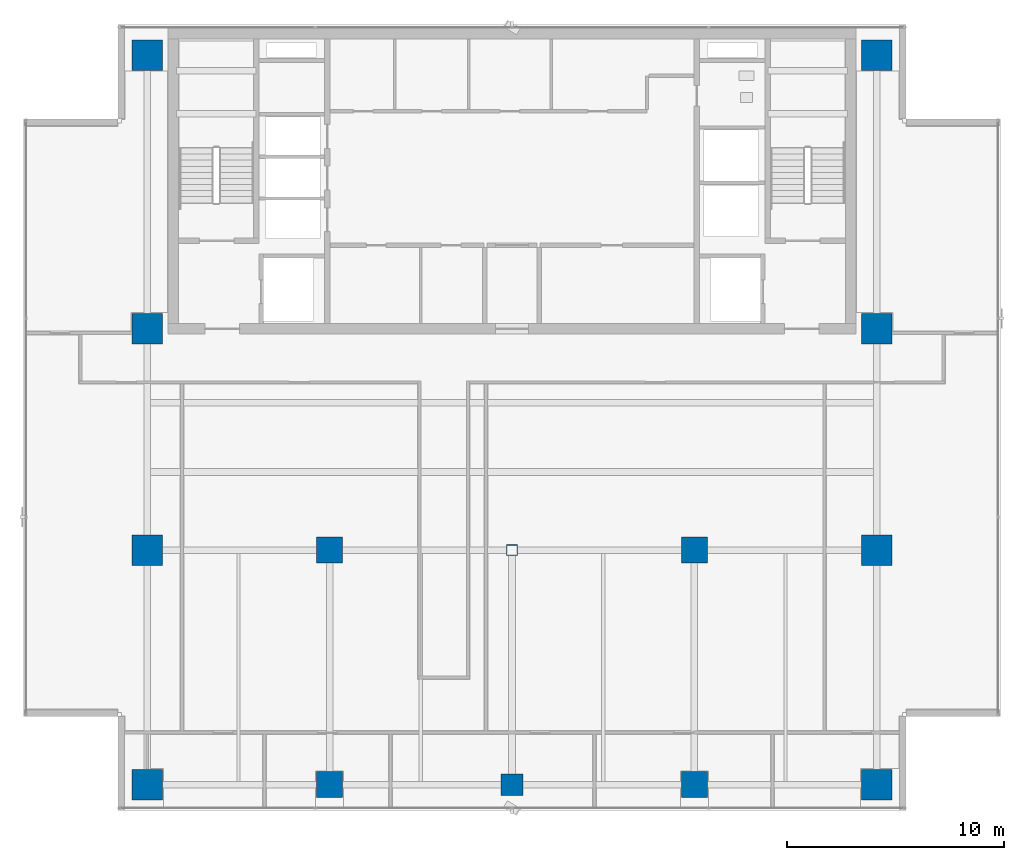
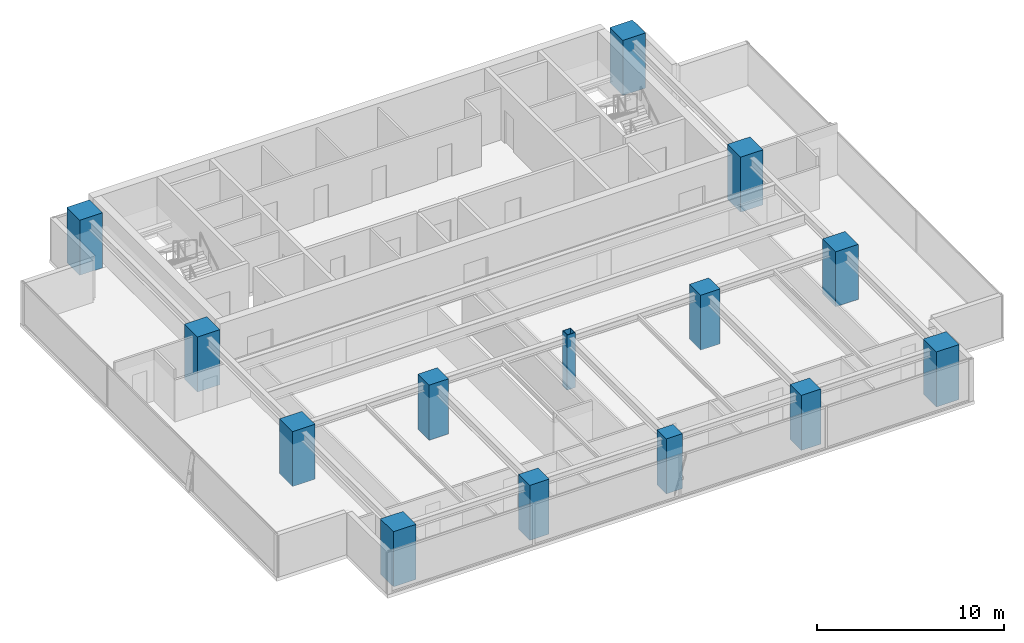
# One storey, part 1 of 25: 14 columns.
"""IFC4 building model written with IfcOpenShell, lengths in metres."""

from ifc_helpers import new_model, si_unit, direction, frame, origin, origin_with_axes, origin_2d, place, context, subcontext, project, spatial, rectangle, hollow_rectangle, extrude, source, transform, mapped, material, material_profile, profile_set, type_object, element, save


model = new_model("IFC4")

# Units and contexts
model_context = context("Model", 3, precision=1e-05, world=origin(), true_north=direction((0.0, 1.0)))
body_context = subcontext(model_context, "Body", "Model", "MODEL_VIEW")
ifc_project = project(units=[si_unit("LENGTHUNIT", "METRE"), si_unit("AREAUNIT", "SQUARE_METRE"), si_unit("VOLUMEUNIT", "CUBIC_METRE"), si_unit("PLANEANGLEUNIT", "RADIAN"), si_unit("MASSUNIT", "GRAM", prefix="KILO")], contexts=[model_context])

# Site, building, storey
site_placement = place(None, origin())
site = spatial("IfcSite", under=ifc_project, at=site_placement, CompositionType="ELEMENT")
building_placement = place(site_placement, origin())
building = spatial("IfcBuilding", under=site, at=building_placement, Name="Sumidabori Civic Tower", CompositionType="ELEMENT")
storey_placement = place(building_placement, frame((0.0, 0.0, 239.60009765625)))
storey = spatial("IfcBuildingStorey", under=building, at=storey_placement, Name="L62", CompositionType="ELEMENT", Elevation=239.60009765625)

# Columns
ifc_material_1 = material(Name="Concrete C60/75", Category="concrete")
ifc_material_profile_1 = material_profile(ifc_material_1, rectangle(XDim=1.39990234375, YDim=1.39990234375, at=origin_2d()), Name="RC 1400x1400")
ifc_profile_set_1 = profile_set([ifc_material_profile_1], Name="Concrete C60/75")
column_type_1 = type_object("IfcColumnType", Name="CL-MEGA-1400", PredefinedType="COLUMN", material=ifc_profile_set_1)
shared_shape_1 = source(origin(), body_context, "Body", "SweptSolid", [
    extrude(rectangle(XDim=1.39990234375, YDim=1.39990234375, at=origin_2d()), origin(), (0.0, 0.0, 1.0), 3.599853515625),
])
for number, where, z_axis, x_axis, name in (
    (1, (-16.800048828125, -10.800048828125, 0.0), (0.0, 0.0, 1.0), (1.0, 0.0, 0.0), "Column MC-W16-Y11S L62"),
    (2, (-16.800048828125, 0.0, 0.0), (0.0, 0.0, 1.0), (1.0, 0.0, 0.0), "Column MC-W16-Y00 L62"),
    (3, (-16.800048828125, 10.199951171875, 0.0), (0.0, 0.0, 1.0), (1.0, 0.0, 0.0), "Column MC-W16-Y10N L62"),
    (4, (-16.800048828125, 22.800048828125, 0.0), (0.0, 0.0, 1.0), (1.0, 0.0, 0.0), "Column MC-W16-Y23N L62"),
    (5, (16.800048828125, -10.800048828125, 0.0), (0.0, 0.0, 1.0), (1.0, 0.0, 0.0), "Column MC-E16-Y11S L62"),
    (6, (16.800048828125, 0.0, 0.0), (0.0, 0.0, 1.0), (1.0, 0.0, 0.0), "Column MC-E16-Y00 L62"),
    (7, (16.800048828125, 10.199951171875, 0.0), (0.0, 0.0, 1.0), (1.0, 0.0, 0.0), "Column MC-E16-Y10N L62"),
    (8, (16.800048828125, 22.800048828125, 0.0), (0.0, 0.0, 1.0), (1.0, 0.0, 0.0), "Column MC-E16-Y23N L62"),
):
    element("IfcColumn", number, at=place(storey_placement, frame(where, z_axis=z_axis, x_axis=x_axis)), inside=storey, type_object=column_type_1, Name=name, PredefinedType="COLUMN", context=body_context, shape_type="MappedRepresentation", body=[
        mapped(shared_shape_1, transform((0.0, 0.0, 0.0), x_axis=(1.0, 0.0, 0.0), y_axis=(0.0, 1.0, 0.0), z_axis=(0.0, 0.0, 1.0), scale=1.0)),
    ])
ifc_material_2 = material(Name="Concrete C50/60", Category="concrete")
ifc_material_profile_2 = material_profile(ifc_material_2, rectangle(XDim=1.0, YDim=1.0, at=origin_2d()), Name="RC 1000x1000")
ifc_profile_set_2 = profile_set([ifc_material_profile_2], Name="Concrete C50/60")
column_type_2 = type_object("IfcColumnType", Name="CL-INT-1000", PredefinedType="COLUMN", material=ifc_profile_set_2)
shared_shape_2 = source(origin(), body_context, "Body", "SweptSolid", [
    extrude(rectangle(XDim=1.0, YDim=1.0, at=origin_2d()), origin(), (0.0, 0.0, 1.0), 3.599853515625),
])
column_1_placement = place(storey_placement, frame((0.0, -10.800048828125, 0.0), z_axis=(0.0, 0.0, 1.0), x_axis=(1.0, 0.0, 0.0)))
element("IfcColumn", 9, at=column_1_placement, inside=storey, type_object=column_type_2, Name="Column MC-C00-Y11S L62", PredefinedType="COLUMN", context=body_context, shape_type="MappedRepresentation", body=[
    mapped(shared_shape_2, transform((0.0, 0.0, 0.0), x_axis=(1.0, 0.0, 0.0), y_axis=(0.0, 1.0, 0.0), z_axis=(0.0, 0.0, 1.0), scale=1.0)),
])
ifc_material_profile_3 = material_profile(ifc_material_2, rectangle(XDim=1.199951171875, YDim=1.199951171875, at=origin_2d()), Name="RC 1200x1200")
ifc_profile_set_3 = profile_set([ifc_material_profile_3], Name="Concrete C50/60")
column_type_3 = type_object("IfcColumnType", Name="CL-MEGA-1200", PredefinedType="COLUMN", material=ifc_profile_set_3)
shared_shape_3 = source(origin(), body_context, "Body", "SweptSolid", [
    extrude(rectangle(XDim=1.199951171875, YDim=1.199951171875, at=origin_2d()), origin(), (0.0, 0.0, 1.0), 3.599853515625),
])
for number, where, z_axis, x_axis, name in (
    (10, (-8.39990234375, 0.0, 0.0), (0.0, 0.0, 1.0), (1.0, 0.0, 0.0), "Column MC-W08-Y00 L62"),
    (11, (-8.39990234375, -10.800048828125, 0.0), (0.0, 0.0, 1.0), (1.0, 0.0, 0.0), "Column MC-W08-Y11S L62"),
    (12, (8.39990234375, 0.0, 0.0), (0.0, 0.0, 1.0), (1.0, 0.0, 0.0), "Column MC-E08-Y00 L62"),
    (13, (8.39990234375, -10.800048828125, 0.0), (0.0, 0.0, 1.0), (1.0, 0.0, 0.0), "Column MC-E08-Y11S L62"),
):
    element("IfcColumn", number, at=place(storey_placement, frame(where, z_axis=z_axis, x_axis=x_axis)), inside=storey, type_object=column_type_3, Name=name, PredefinedType="COLUMN", context=body_context, shape_type="MappedRepresentation", body=[
        mapped(shared_shape_3, transform((0.0, 0.0, 0.0), x_axis=(1.0, 0.0, 0.0), y_axis=(0.0, 1.0, 0.0), z_axis=(0.0, 0.0, 1.0), scale=1.0)),
    ])
ifc_material_3 = material(Name="Steel SN490", Category="steel")
ifc_material_profile_4 = material_profile(ifc_material_3, hollow_rectangle(XDim=0.5, YDim=0.5, WallThickness=0.02490234375, at=origin_2d()), Name="SHS 500x500x25")
ifc_profile_set_4 = profile_set([ifc_material_profile_4], Name="Steel SN490")
column_type_4 = type_object("IfcColumnType", Name="CL-CRN-SHS500", PredefinedType="COLUMN", material=ifc_profile_set_4)
shared_shape_4 = source(origin(), body_context, "Body", "SweptSolid", [
    extrude(hollow_rectangle(XDim=0.5, YDim=0.5, WallThickness=0.02490234375, at=origin_2d()), origin(), (0.0, 0.0, 1.0), 3.599853515625),
])
column_2_placement = place(storey_placement, origin_with_axes())
element("IfcColumn", 14, at=column_2_placement, inside=storey, type_object=column_type_4, Name="Column MC-C00-Y00 L62", PredefinedType="COLUMN", context=body_context, shape_type="MappedRepresentation", body=[
    mapped(shared_shape_4, transform((0.0, 0.0, 0.0), x_axis=(1.0, 0.0, 0.0), y_axis=(0.0, 1.0, 0.0), z_axis=(0.0, 0.0, 1.0), scale=1.0)),
])

save(model, "model.ifc")
